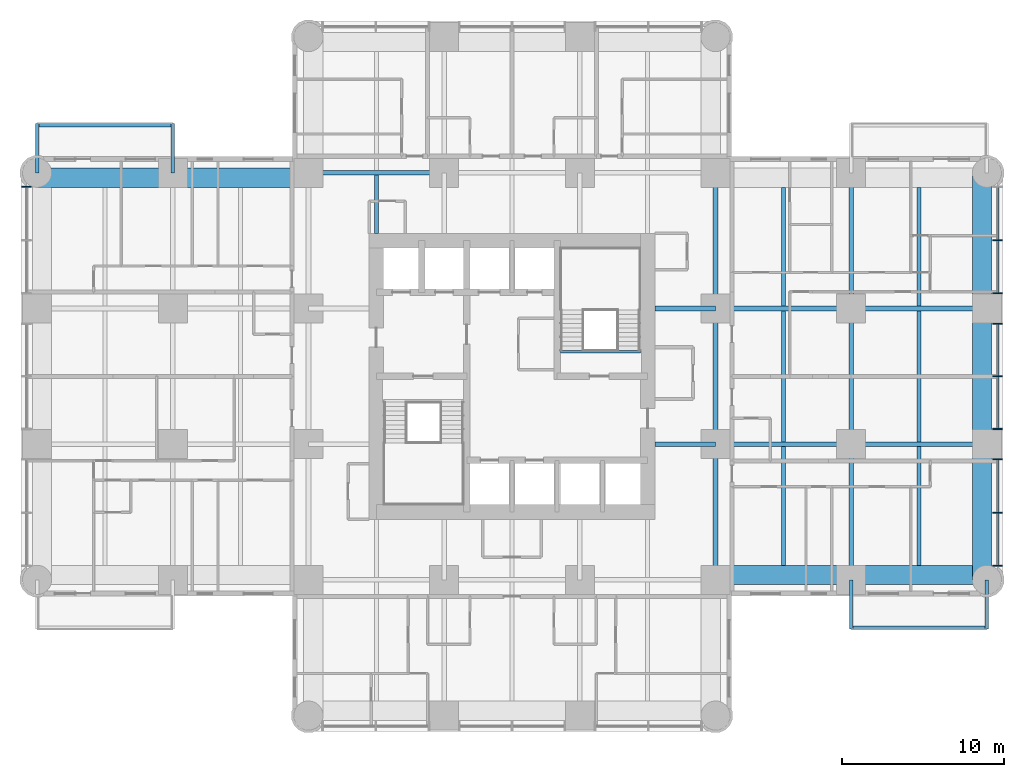
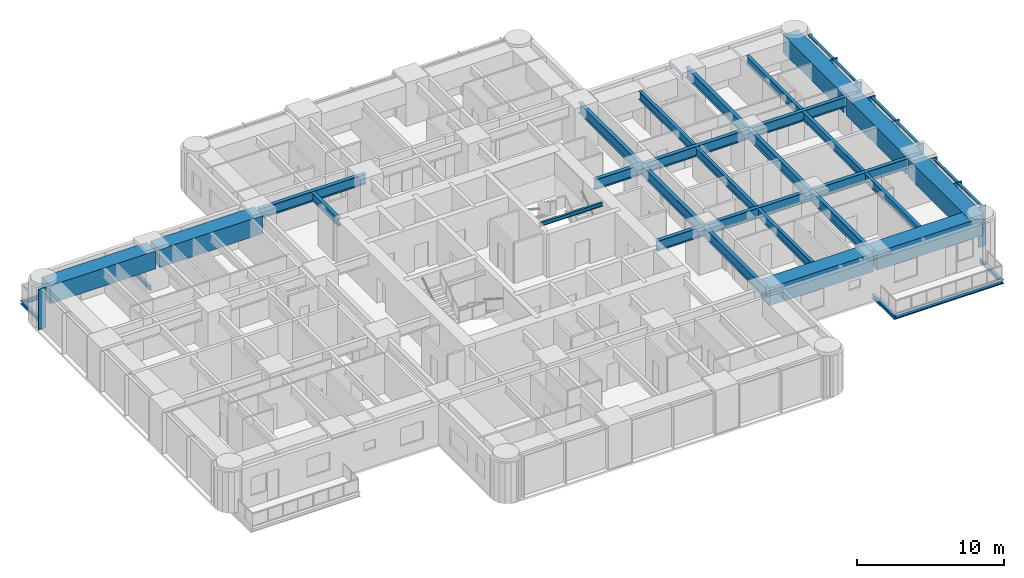
# One storey, part 3 of 14: 34 beams, 15 members, 2 elements without a shape of their own.
"""IFC4 building model written with IfcOpenShell, lengths in metres."""

import ifcopenshell
import ifcopenshell.guid

model = None  # the IFC model being written
_history = None  # IfcOwnerHistory: only IFC2X3 demands one
_inside = {}  # id of a spatial element -> (the spatial element, [elements in it])
_under = {}  # id of a project, library or spatial element -> (it, [spatial elements below it])
_declared = {}  # id of a project -> (the project, [libraries it declares])
_typed = {}  # id of a type object -> (the type object, [elements of that type])
_made_of = {}  # id of a material, layer set ... -> (it, [elements and type objects made of it])


def new_model(schema):
    """Start an empty IFC model of exactly this schema.

    Asked for "IFC4X3", IfcOpenShell would pick the latest addendum, in which some entities
    have other attributes; the version numbers below select the first issue.
    IFC2X3 requires an IfcOwnerHistory on every rooted entity: one is made here for all.
    """
    global model, _history
    if schema == "IFC4X3":
        model = ifcopenshell.file(schema_version=(4, 3, 0, 0))
    else:
        model = ifcopenshell.file(schema=schema)
    _inside.clear()
    _under.clear()
    _declared.clear()
    _typed.clear()
    _made_of.clear()
    _history = None
    if model.schema == "IFC2X3":
        org = make("IfcOrganization", Name="unknown")
        user = make(
            "IfcPersonAndOrganization",
            ThePerson=make("IfcPerson", FamilyName="unknown"),
            TheOrganization=org,
        )
        app = make(
            "IfcApplication",
            ApplicationDeveloper=org,
            Version="unknown",
            ApplicationFullName="unknown",
            ApplicationIdentifier="unknown",
        )
        _history = make(
            "IfcOwnerHistory",
            OwningUser=user,
            OwningApplication=app,
            ChangeAction="ADDED",
            CreationDate=0,
        )
    return model


def make(cls, **values):
    """One entity of the class cls with the attributes given. An attribute that is None is left unset."""
    return model.create_entity(
        cls, **{name: value for name, value in values.items() if value is not None}
    )


def rooted(cls, **values):
    """An entity with a GlobalId (a new one), such as an element, a storey or a relation."""
    return make(cls, GlobalId=ifcopenshell.guid.new(), OwnerHistory=_history, **values)


def si_unit(unit_type, name, prefix=None):
    """IfcSIUnit, for example si_unit("LENGTHUNIT", "METRE", prefix="MILLI")."""
    return make("IfcSIUnit", UnitType=unit_type, Prefix=prefix, Name=name)


def assignment(units):
    """IfcUnitAssignment: the units of a project."""
    return None if units is None else make("IfcUnitAssignment", Units=units)


def point(xyz):
    """IfcCartesianPoint."""
    return None if xyz is None else make("IfcCartesianPoint", Coordinates=xyz)


def direction(xyz):
    """IfcDirection."""
    return None if xyz is None else make("IfcDirection", DirectionRatios=xyz)


def frame(location, z_axis=None, x_axis=None):
    """IfcAxis2Placement3D, a coordinate frame: its origin and axes. An axis left out is left unset."""
    return make(
        "IfcAxis2Placement3D",
        Location=point(location),
        Axis=direction(z_axis),
        RefDirection=direction(x_axis),
    )


def frame_2d(location, x_axis=None):
    """IfcAxis2Placement2D, a coordinate frame in the plane: its origin and x axis."""
    return make(
        "IfcAxis2Placement2D", Location=point(location), RefDirection=direction(x_axis)
    )


def origin():
    """The frame at (0, 0, 0) with its axes left unset."""
    return frame((0.0, 0.0, 0.0))


def origin_2d():
    """The frame at (0, 0) in the plane with its x axis left unset."""
    return frame_2d((0.0, 0.0))


def place(relative_to, where):
    """IfcLocalPlacement: puts the frame where relative to a parent placement (None: the world)."""
    return make(
        "IfcLocalPlacement", PlacementRelTo=relative_to, RelativePlacement=where
    )


def context(
    kind, dimensions, precision=None, world=None, true_north=None, identifier=None
):
    """IfcGeometricRepresentationContext, for example the 3D "Model" context."""
    return make(
        "IfcGeometricRepresentationContext",
        ContextIdentifier=identifier,
        ContextType=kind,
        CoordinateSpaceDimension=dimensions,
        Precision=precision,
        WorldCoordinateSystem=world,
        TrueNorth=true_north,
    )


def subcontext(parent, identifier, kind, view, scale=None):
    """IfcGeometricRepresentationSubContext, for example "Body" below "Model"."""
    return make(
        "IfcGeometricRepresentationSubContext",
        ContextIdentifier=identifier,
        ContextType=kind,
        ParentContext=parent,
        TargetScale=scale,
        TargetView=view,
    )


def project(units=None, contexts=None):
    """IfcProject with its units and contexts."""
    return rooted(
        "IfcProject",
        Name="project",
        RepresentationContexts=contexts,
        UnitsInContext=assignment(units),
    )


def spatial(cls, under=None, at=None, **own):
    """A site, building, storey or space (cls), placed at a placement, below another one or the project."""
    s = rooted(cls, ObjectPlacement=at, **own)
    if under is not None:
        _under.setdefault(under.id(), (under, []))[1].append(s)
    return s


def profile(cls, at=None, kind="AREA", **sizes):
    """A parametric profile (cls). Its sizes go by their IFC names, for example OverallWidth=200.0."""
    return make(cls, ProfileType=kind, Position=at, **sizes)


def rectangle(**sizes):
    """IfcRectangleProfileDef."""
    return profile("IfcRectangleProfileDef", **sizes)


def i_section(**sizes):
    """IfcIShapeProfileDef."""
    return profile("IfcIShapeProfileDef", **sizes)


def extrude(swept, where, along, depth):
    """IfcExtrudedAreaSolid: the profile swept, set in the frame where, extruded along a direction by depth."""
    return make(
        "IfcExtrudedAreaSolid",
        SweptArea=swept,
        Position=where,
        ExtrudedDirection=direction(along),
        Depth=depth,
    )


def shape(context_of_items, identifier, shape_type, items):
    """IfcShapeRepresentation: the items that make up one representation, for example the "Body"."""
    return make(
        "IfcShapeRepresentation",
        ContextOfItems=context_of_items,
        RepresentationIdentifier=identifier,
        RepresentationType=shape_type,
        Items=items,
    )


def material(Name=None, Category=None):
    """IfcMaterial."""
    return make("IfcMaterial", Name=Name, Category=Category)


def material_profile(
    of_material, cross_section, Name=None, Category=None, Priority=None
):
    """IfcMaterialProfile: a cross section and its material."""
    return make(
        "IfcMaterialProfile",
        Name=Name,
        Material=of_material,
        Profile=cross_section,
        Priority=Priority,
        Category=Category,
    )


def profile_set(profiles, Name=None, composite=None):
    """IfcMaterialProfileSet."""
    return make(
        "IfcMaterialProfileSet",
        Name=Name,
        MaterialProfiles=profiles,
        CompositeProfile=composite,
    )


def made_of(thing, what):
    """Note that an element or type object is made of a material, layer set ...; save() writes the relation."""
    if what is not None:
        _made_of.setdefault(what.id(), (what, []))[1].append(thing)
    return thing


def type_object(cls, material=None, **own):
    """A type object (cls), such as IfcWallType, which elements share."""
    return made_of(rooted(cls, **own), material)


def element(
    cls,
    number,
    at=None,
    inside=None,
    cuts=None,
    type_object=None,
    material=None,
    context=None,
    identifier="Body",
    shape_type=None,
    held_by="IfcProductDefinitionShape",
    body=None,
    shapes=None,
    **own,
):
    """One element of the class cls, such as IfcWall. Its Tag is "e" and its number.

    at: its placement. inside: the storey or other place that contains it. cuts: it is an
    opening in that element (IfcRelVoidsElement). A single representation is given by context,
    identifier, shape_type and body (its items); several are given by shapes. held_by: the class
    of the entity that holds the representations. save() writes the other relations.
    """
    e = rooted(cls, Tag="e%d" % number, ObjectPlacement=at, **own)
    if body is not None:
        shapes = [shape(context, identifier, shape_type, body)]
    if shapes is not None:
        e.Representation = make(held_by, Representations=shapes)
    if inside is not None:
        _inside.setdefault(inside.id(), (inside, []))[1].append(e)
    if cuts is not None:
        rooted(
            "IfcRelVoidsElement", RelatingBuildingElement=cuts, RelatedOpeningElement=e
        )
    if type_object is not None:
        _typed.setdefault(type_object.id(), (type_object, []))[1].append(e)
    return made_of(e, material)


def aggregate(whole, parts):
    """IfcRelAggregates: a whole, such as a stair, and the parts it consists of."""
    return rooted("IfcRelAggregates", RelatingObject=whole, RelatedObjects=parts)


def save(model, path):
    """Write the relations noted so far, then the file.

    IfcRelAggregates (storeys below a building ...), IfcRelContainedInSpatialStructure (elements
    in a storey), IfcRelDefinesByType, IfcRelAssociatesMaterial and IfcRelDeclares: one each for
    every whole, place, type object, material and project.
    """
    for whole, parts in _under.values():
        aggregate(whole, parts)
    for where, things in _inside.values():
        rooted(
            "IfcRelContainedInSpatialStructure",
            RelatedElements=things,
            RelatingStructure=where,
        )
    for kind, things in _typed.values():
        rooted("IfcRelDefinesByType", RelatedObjects=things, RelatingType=kind)
    for what, things in _made_of.values():
        rooted("IfcRelAssociatesMaterial", RelatedObjects=things, RelatingMaterial=what)
    for by, libraries in _declared.values():
        rooted("IfcRelDeclares", RelatingContext=by, RelatedDefinitions=libraries)
    model.write(path)


model = new_model("IFC4")

# Units and contexts
model_context = context("Model", 3, precision=1e-05, world=origin(), true_north=direction((0.0, 1.0)))
body_context = subcontext(model_context, "Body", "Model", "MODEL_VIEW")
ifc_project = project(units=[si_unit("LENGTHUNIT", "METRE"), si_unit("AREAUNIT", "SQUARE_METRE"), si_unit("VOLUMEUNIT", "CUBIC_METRE"), si_unit("PLANEANGLEUNIT", "RADIAN"), si_unit("MASSUNIT", "GRAM", prefix="KILO")], contexts=[model_context])

# Site, building, storey
site_placement = place(None, origin())
site = spatial("IfcSite", under=ifc_project, at=site_placement, CompositionType="ELEMENT")
building_placement = place(site_placement, origin())
building = spatial("IfcBuilding", under=site, at=building_placement, Name="Torre Alcanfor", CompositionType="ELEMENT")
storey_placement = place(building_placement, frame((0.0, 0.0, 173.699951171875)))
storey = spatial("IfcBuildingStorey", under=building, at=storey_placement, Name="L45", CompositionType="ELEMENT", Elevation=173.699951171875)

# Beams
ifc_material_1 = material(Name="Steel ASTM A992 Grade 50", Category="steel")
ifc_material_profile_1 = material_profile(ifc_material_1, i_section(OverallWidth=0.205322265625, OverallDepth=0.309814453125, WebThickness=0.00927734375, FlangeThickness=0.016357421875, at=origin_2d()), Name="W12x50")
ifc_profile_set_1 = profile_set([ifc_material_profile_1], Name="Steel ASTM A992 Grade 50")
beam_type_1 = type_object("IfcBeamType", Name="Balcony cantilever beam W12x50", PredefinedType="BEAM", material=ifc_profile_set_1)
for number, where, z_axis, x_axis, name in (
    (1, (50.39990234375, 16.800048828125, -0.35498046875), (0.0, -1.0, 0.0), (1.0, 0.0, 0.0), "Balcony cantilever beam L45-E2 1"),
    (2, (58.800048828125, 16.800048828125, -0.35498046875), (0.0, -1.0, 0.0), (1.0, 0.0, 0.0), "Balcony cantilever beam L45-E2 2"),
    (3, (8.39990234375, 42.0, -0.35498046875), (0.0, 1.0, 0.0), (-1.0, 0.0, 0.0), "Balcony cantilever beam L45-W2 1"),
    (4, (0.0, 42.0, -0.35498046875), (0.0, 1.0, 0.0), (-1.0, 0.0, 0.0), "Balcony cantilever beam L45-W2 2"),
):
    element("IfcBeam", number, at=place(storey_placement, frame(where, z_axis=z_axis, x_axis=x_axis)), inside=storey, type_object=beam_type_1, Name=name, PredefinedType="BEAM", context=body_context, shape_type="SweptSolid", body=[
        extrude(i_section(OverallWidth=0.205322265625, OverallDepth=0.309814453125, WebThickness=0.00927734375, FlangeThickness=0.016357421875, at=origin_2d()), origin(), (0.0, 0.0, 1.0), 3.050048828125),
    ])
ifc_material_2 = material(Name="Steel ASTM A992 Grade 50", Category="steel")
ifc_material_profile_2 = material_profile(ifc_material_2, i_section(OverallWidth=0.203369140625, OverallDepth=0.30224609375, WebThickness=0.007568359375, FlangeThickness=0.01318359375, at=origin_2d()), Name="W12x40")
ifc_profile_set_2 = profile_set([ifc_material_profile_2], Name="Steel ASTM A992 Grade 50")
beam_type_2 = type_object("IfcBeamType", Name="Balcony edge trimmer W12x40", PredefinedType="BEAM", material=ifc_profile_set_2)
beam_1_placement = place(storey_placement, frame((50.39990234375, 13.851806640625, -0.35107421875), z_axis=(1.0, 0.0, 0.0), x_axis=(0.0, 1.0, 0.0)))
element("IfcBeam", 5, at=beam_1_placement, inside=storey, type_object=beam_type_2, Name="Balcony edge trimmer L45-E2", PredefinedType="BEAM", context=body_context, shape_type="SweptSolid", body=[
    extrude(i_section(OverallWidth=0.203369140625, OverallDepth=0.30224609375, WebThickness=0.007568359375, FlangeThickness=0.01318359375, at=origin_2d()), origin(), (0.0, 0.0, 1.0), 8.400146484375),
])
beam_2_placement = place(storey_placement, frame((8.39990234375, 44.9482421875, -0.35107421875), z_axis=(-1.0, 0.0, 0.0), x_axis=(0.0, -1.0, 0.0)))
element("IfcBeam", 6, at=beam_2_placement, inside=storey, type_object=beam_type_2, Name="Balcony edge trimmer L45-W2", PredefinedType="BEAM", context=body_context, shape_type="SweptSolid", body=[
    extrude(i_section(OverallWidth=0.203369140625, OverallDepth=0.30224609375, WebThickness=0.007568359375, FlangeThickness=0.01318359375, at=origin_2d()), origin(), (0.0, 0.0, 1.0), 8.39990234375),
])

# Curtain wall, member
ifc_material_3 = material(Name="Aluminium and glass", Category="aluminium")
curtain_wall_type = type_object("IfcCurtainWallType", Name="CW-A unitised apartment glazing with vertical FIN", PredefinedType="NOTDEFINED", material=ifc_material_3)
curtain_wall_1_placement = place(storey_placement, origin())
curtain_wall_1 = element("IfcCurtainWall", 7, at=curtain_wall_1_placement, inside=storey, type_object=curtain_wall_type, Name="Curtain wall CW-A L45 2", PredefinedType="NOTDEFINED")
ifc_material_4 = material(Name="Bronze anodised aluminium", Category="aluminium")
ifc_material_profile_3 = material_profile(ifc_material_4, rectangle(XDim=0.60009765625, YDim=0.06494140625, at=origin_2d()), Name="CW-A mullion 65x600")
ifc_profile_set_3 = profile_set([ifc_material_profile_3], Name="Bronze anodised aluminium")
member_type_1 = type_object("IfcMemberType", Name="CW-A mullion with vertical FIN 65x600", PredefinedType="MULLION", material=ifc_profile_set_3)
member_1_placement = place(storey_placement, frame((-0.64990234375, 41.133056640625, 0.0), z_axis=(0.0, 0.0, 1.0), x_axis=(1.0, 0.0, 0.0)))
member_1 = element("IfcMember", 8, at=member_1_placement, type_object=member_type_1, Name="CW-A mullion 1.1", PredefinedType="MULLION", context=body_context, shape_type="SweptSolid", body=[
    extrude(rectangle(XDim=0.60009765625, YDim=0.06494140625, at=origin_2d()), origin(), (0.0, 0.0, 1.0), 3.35009765625),
])
aggregate(curtain_wall_1, [member_1])

# Curtain wall, members
curtain_wall_2_placement = place(storey_placement, origin())
curtain_wall_2 = element("IfcCurtainWall", 9, at=curtain_wall_2_placement, inside=storey, type_object=curtain_wall_type, Name="Curtain wall CW-A L45 8", PredefinedType="NOTDEFINED")
member_2_placement = place(storey_placement, frame((59.449951171875, 17.6669921875, 0.0), z_axis=(0.0, 0.0, 1.0), x_axis=(-1.0, 0.0, 0.0)))
member_2 = element("IfcMember", 10, at=member_2_placement, type_object=member_type_1, Name="CW-A mullion 1.1", PredefinedType="MULLION", context=body_context, shape_type="SweptSolid", body=[
    extrude(rectangle(XDim=0.60009765625, YDim=0.06494140625, at=origin_2d()), origin(), (0.0, 0.0, 1.0), 3.35009765625),
])
member_3_placement = place(storey_placement, frame((59.449951171875, 20.96484375, 0.0), z_axis=(0.0, 0.0, 1.0), x_axis=(-1.0, 0.0, 0.0)))
member_3 = element("IfcMember", 11, at=member_3_placement, type_object=member_type_1, Name="CW-A mullion 1.2", PredefinedType="MULLION", context=body_context, shape_type="SweptSolid", body=[
    extrude(rectangle(XDim=0.60009765625, YDim=0.06494140625, at=origin_2d()), origin(), (0.0, 0.0, 1.0), 3.35009765625),
])
member_4_placement = place(storey_placement, frame((59.449951171875, 24.262451171875, 0.0), z_axis=(0.0, 0.0, 1.0), x_axis=(-1.0, 0.0, 0.0)))
member_4 = element("IfcMember", 12, at=member_4_placement, type_object=member_type_1, Name="CW-A mullion 1.3", PredefinedType="MULLION", context=body_context, shape_type="SweptSolid", body=[
    extrude(rectangle(XDim=0.60009765625, YDim=0.06494140625, at=origin_2d()), origin(), (0.0, 0.0, 1.0), 3.35009765625),
])
member_5_placement = place(storey_placement, frame((59.449951171875, 26.137451171875, 0.0), z_axis=(0.0, 0.0, 1.0), x_axis=(-1.0, 0.0, 0.0)))
member_5 = element("IfcMember", 13, at=member_5_placement, type_object=member_type_1, Name="CW-A mullion 2.1", PredefinedType="MULLION", context=body_context, shape_type="SweptSolid", body=[
    extrude(rectangle(XDim=0.60009765625, YDim=0.06494140625, at=origin_2d()), origin(), (0.0, 0.0, 1.0), 3.35009765625),
])
member_6_placement = place(storey_placement, frame((59.449951171875, 29.39990234375, 0.0), z_axis=(0.0, 0.0, 1.0), x_axis=(-1.0, 0.0, 0.0)))
member_6 = element("IfcMember", 14, at=member_6_placement, type_object=member_type_1, Name="CW-A mullion 2.2", PredefinedType="MULLION", context=body_context, shape_type="SweptSolid", body=[
    extrude(rectangle(XDim=0.60009765625, YDim=0.06494140625, at=origin_2d()), origin(), (0.0, 0.0, 1.0), 3.35009765625),
])
member_7_placement = place(storey_placement, frame((59.449951171875, 32.66259765625, 0.0), z_axis=(0.0, 0.0, 1.0), x_axis=(-1.0, 0.0, 0.0)))
member_7 = element("IfcMember", 15, at=member_7_placement, type_object=member_type_1, Name="CW-A mullion 2.3", PredefinedType="MULLION", context=body_context, shape_type="SweptSolid", body=[
    extrude(rectangle(XDim=0.60009765625, YDim=0.06494140625, at=origin_2d()), origin(), (0.0, 0.0, 1.0), 3.35009765625),
])
member_8_placement = place(storey_placement, frame((59.449951171875, 34.53759765625, 0.0), z_axis=(0.0, 0.0, 1.0), x_axis=(-1.0, 0.0, 0.0)))
member_8 = element("IfcMember", 16, at=member_8_placement, type_object=member_type_1, Name="CW-A mullion 3.1", PredefinedType="MULLION", context=body_context, shape_type="SweptSolid", body=[
    extrude(rectangle(XDim=0.60009765625, YDim=0.06494140625, at=origin_2d()), origin(), (0.0, 0.0, 1.0), 3.35009765625),
])
member_9_placement = place(storey_placement, frame((59.449951171875, 37.835205078125, 0.0), z_axis=(0.0, 0.0, 1.0), x_axis=(-1.0, 0.0, 0.0)))
member_9 = element("IfcMember", 17, at=member_9_placement, type_object=member_type_1, Name="CW-A mullion 3.2", PredefinedType="MULLION", context=body_context, shape_type="SweptSolid", body=[
    extrude(rectangle(XDim=0.60009765625, YDim=0.06494140625, at=origin_2d()), origin(), (0.0, 0.0, 1.0), 3.35009765625),
])
ifc_material_5 = material(Name="Extruded aluminium", Category="aluminium")
ifc_material_profile_4 = material_profile(ifc_material_5, rectangle(XDim=0.199951171875, YDim=0.06494140625, at=origin_2d()), Name="CW-A transom 200x65")
ifc_profile_set_4 = profile_set([ifc_material_profile_4], Name="Extruded aluminium")
member_type_2 = type_object("IfcMemberType", Name="CW-A transom 65x200", PredefinedType="USERDEFINED", material=ifc_profile_set_4)
member_10_placement = place(storey_placement, frame((59.449951171875, 17.699462890625, 3.317626953125), z_axis=(0.0, 1.0, 0.0), x_axis=(-1.0, 0.0, 0.0)))
member_10 = element("IfcMember", 18, at=member_10_placement, type_object=member_type_2, Name="CW-A transom 1.1.2", ObjectType="TRANSOM", PredefinedType="USERDEFINED", context=body_context, shape_type="SweptSolid", body=[
    extrude(rectangle(XDim=0.199951171875, YDim=0.06494140625, at=origin_2d()), origin(), (0.0, 0.0, 1.0), 3.232666015625),
])
member_11_placement = place(storey_placement, frame((59.449951171875, 20.997314453125, 3.317626953125), z_axis=(0.0, 1.0, 0.0), x_axis=(-1.0, 0.0, 0.0)))
member_11 = element("IfcMember", 19, at=member_11_placement, type_object=member_type_2, Name="CW-A transom 1.2.2", ObjectType="TRANSOM", PredefinedType="USERDEFINED", context=body_context, shape_type="SweptSolid", body=[
    extrude(rectangle(XDim=0.199951171875, YDim=0.06494140625, at=origin_2d()), origin(), (0.0, 0.0, 1.0), 3.232666015625),
])
member_12_placement = place(storey_placement, frame((59.449951171875, 26.169921875, 3.317626953125), z_axis=(0.0, 1.0, 0.0), x_axis=(-1.0, 0.0, 0.0)))
member_12 = element("IfcMember", 20, at=member_12_placement, type_object=member_type_2, Name="CW-A transom 2.1.2", ObjectType="TRANSOM", PredefinedType="USERDEFINED", context=body_context, shape_type="SweptSolid", body=[
    extrude(rectangle(XDim=0.199951171875, YDim=0.06494140625, at=origin_2d()), origin(), (0.0, 0.0, 1.0), 3.197509765625),
])
member_13_placement = place(storey_placement, frame((59.449951171875, 29.4326171875, 3.317626953125), z_axis=(0.0, 1.0, 0.0), x_axis=(-1.0, 0.0, 0.0)))
member_13 = element("IfcMember", 21, at=member_13_placement, type_object=member_type_2, Name="CW-A transom 2.2.2", ObjectType="TRANSOM", PredefinedType="USERDEFINED", context=body_context, shape_type="SweptSolid", body=[
    extrude(rectangle(XDim=0.199951171875, YDim=0.06494140625, at=origin_2d()), origin(), (0.0, 0.0, 1.0), 3.197265625),
])
member_14_placement = place(storey_placement, frame((59.449951171875, 34.570068359375, 3.317626953125), z_axis=(0.0, 1.0, 0.0), x_axis=(-1.0, 0.0, 0.0)))
member_14 = element("IfcMember", 22, at=member_14_placement, type_object=member_type_2, Name="CW-A transom 3.1.2", ObjectType="TRANSOM", PredefinedType="USERDEFINED", context=body_context, shape_type="SweptSolid", body=[
    extrude(rectangle(XDim=0.199951171875, YDim=0.06494140625, at=origin_2d()), origin(), (0.0, 0.0, 1.0), 3.232666015625),
])
member_15_placement = place(storey_placement, frame((59.449951171875, 37.86767578125, 3.317626953125), z_axis=(0.0, 1.0, 0.0), x_axis=(-1.0, 0.0, 0.0)))
member_15 = element("IfcMember", 23, at=member_15_placement, type_object=member_type_2, Name="CW-A transom 3.2.2", ObjectType="TRANSOM", PredefinedType="USERDEFINED", context=body_context, shape_type="SweptSolid", body=[
    extrude(rectangle(XDim=0.199951171875, YDim=0.06494140625, at=origin_2d()), origin(), (0.0, 0.0, 1.0), 3.23291015625),
])
aggregate(curtain_wall_2, [member_2, member_3, member_4, member_10, member_11, member_5, member_6, member_7, member_12, member_13, member_8, member_9, member_14, member_15])

# Beams
ifc_material_6 = material(Name="Steel ASTM A992 Grade 50", Category="steel")
ifc_material_profile_5 = material_profile(ifc_material_6, i_section(OverallWidth=0.2919921875, OverallDepth=0.8408203125, WebThickness=0.0146484375, FlangeThickness=0.021728515625, at=origin_2d()), Name="W33x130")
ifc_profile_set_5 = profile_set([ifc_material_profile_5], Name="Steel ASTM A992 Grade 50")
beam_type_3 = type_object("IfcBeamType", Name="Girder W33x130", PredefinedType="BEAM", material=ifc_profile_set_5)
beam_3_placement = place(storey_placement, frame((42.0, 25.199951171875, 2.9296875), z_axis=(1.0, 0.0, 0.0), x_axis=(0.0, 1.0, 0.0)))
element("IfcBeam", 24, at=beam_3_placement, inside=storey, type_object=beam_type_3, Name="Beam 6F-7F under L46", PredefinedType="BEAM", context=body_context, shape_type="SweptSolid", body=[
    extrude(i_section(OverallWidth=0.2919921875, OverallDepth=0.8408203125, WebThickness=0.0146484375, FlangeThickness=0.021728515625, at=origin_2d()), origin(), (0.0, 0.0, 1.0), 8.39990234375),
])
beam_4_placement = place(storey_placement, frame((50.39990234375, 25.199951171875, 2.9296875), z_axis=(1.0, 0.0, 0.0), x_axis=(0.0, 1.0, 0.0)))
element("IfcBeam", 25, at=beam_4_placement, inside=storey, type_object=beam_type_3, Name="Beam 7F-8F under L46", PredefinedType="BEAM", context=body_context, shape_type="SweptSolid", body=[
    extrude(i_section(OverallWidth=0.2919921875, OverallDepth=0.8408203125, WebThickness=0.0146484375, FlangeThickness=0.021728515625, at=origin_2d()), origin(), (0.0, 0.0, 1.0), 8.400146484375),
])
beam_5_placement = place(storey_placement, frame((42.0, 33.60009765625, 2.9296875), z_axis=(1.0, 0.0, 0.0), x_axis=(0.0, 1.0, 0.0)))
element("IfcBeam", 26, at=beam_5_placement, inside=storey, type_object=beam_type_3, Name="Beam 6G-7G under L46", PredefinedType="BEAM", context=body_context, shape_type="SweptSolid", body=[
    extrude(i_section(OverallWidth=0.2919921875, OverallDepth=0.8408203125, WebThickness=0.0146484375, FlangeThickness=0.021728515625, at=origin_2d()), origin(), (0.0, 0.0, 1.0), 8.39990234375),
])
beam_6_placement = place(storey_placement, frame((50.39990234375, 33.60009765625, 2.9296875), z_axis=(1.0, 0.0, 0.0), x_axis=(0.0, 1.0, 0.0)))
element("IfcBeam", 27, at=beam_6_placement, inside=storey, type_object=beam_type_3, Name="Beam 7G-8G under L46", PredefinedType="BEAM", context=body_context, shape_type="SweptSolid", body=[
    extrude(i_section(OverallWidth=0.2919921875, OverallDepth=0.8408203125, WebThickness=0.0146484375, FlangeThickness=0.021728515625, at=origin_2d()), origin(), (0.0, 0.0, 1.0), 8.400146484375),
])
for number, where, z_axis, x_axis, name in (
    (28, (16.800048828125, 42.0, 2.9296875), (1.0, 0.0, 0.0), (0.0, 1.0, 0.0), "Beam 3H-4H under L46"),
    (29, (42.0, 16.800048828125, 2.9296875), (0.0, 1.0, 0.0), (-1.0, 0.0, 0.0), "Beam 6E-6F under L46"),
):
    element("IfcBeam", number, at=place(storey_placement, frame(where, z_axis=z_axis, x_axis=x_axis)), inside=storey, type_object=beam_type_3, Name=name, PredefinedType="BEAM", context=body_context, shape_type="SweptSolid", body=[
        extrude(i_section(OverallWidth=0.2919921875, OverallDepth=0.8408203125, WebThickness=0.0146484375, FlangeThickness=0.021728515625, at=origin_2d()), origin(), (0.0, 0.0, 1.0), 8.39990234375),
    ])
beam_7_placement = place(storey_placement, frame((42.0, 25.199951171875, 2.9296875), z_axis=(0.0, 1.0, 0.0), x_axis=(-1.0, 0.0, 0.0)))
element("IfcBeam", 30, at=beam_7_placement, inside=storey, type_object=beam_type_3, Name="Beam 6F-6G under L46", PredefinedType="BEAM", context=body_context, shape_type="SweptSolid", body=[
    extrude(i_section(OverallWidth=0.2919921875, OverallDepth=0.8408203125, WebThickness=0.0146484375, FlangeThickness=0.021728515625, at=origin_2d()), origin(), (0.0, 0.0, 1.0), 8.400146484375),
])
for number, where, z_axis, x_axis, name in (
    (31, (42.0, 33.60009765625, 2.9296875), (0.0, 1.0, 0.0), (-1.0, 0.0, 0.0), "Beam 6G-6H under L46"),
    (32, (50.39990234375, 16.800048828125, 2.9296875), (0.0, 1.0, 0.0), (-1.0, 0.0, 0.0), "Beam 7E-7F under L46"),
):
    element("IfcBeam", number, at=place(storey_placement, frame(where, z_axis=z_axis, x_axis=x_axis)), inside=storey, type_object=beam_type_3, Name=name, PredefinedType="BEAM", context=body_context, shape_type="SweptSolid", body=[
        extrude(i_section(OverallWidth=0.2919921875, OverallDepth=0.8408203125, WebThickness=0.0146484375, FlangeThickness=0.021728515625, at=origin_2d()), origin(), (0.0, 0.0, 1.0), 8.39990234375),
    ])
beam_8_placement = place(storey_placement, frame((50.39990234375, 25.199951171875, 2.9296875), z_axis=(0.0, 1.0, 0.0), x_axis=(-1.0, 0.0, 0.0)))
element("IfcBeam", 33, at=beam_8_placement, inside=storey, type_object=beam_type_3, Name="Beam 7F-7G under L46", PredefinedType="BEAM", context=body_context, shape_type="SweptSolid", body=[
    extrude(i_section(OverallWidth=0.2919921875, OverallDepth=0.8408203125, WebThickness=0.0146484375, FlangeThickness=0.021728515625, at=origin_2d()), origin(), (0.0, 0.0, 1.0), 8.400146484375),
])
beam_9_placement = place(storey_placement, frame((50.39990234375, 33.60009765625, 2.9296875), z_axis=(0.0, 1.0, 0.0), x_axis=(-1.0, 0.0, 0.0)))
element("IfcBeam", 34, at=beam_9_placement, inside=storey, type_object=beam_type_3, Name="Beam 7G-7H under L46", PredefinedType="BEAM", context=body_context, shape_type="SweptSolid", body=[
    extrude(i_section(OverallWidth=0.2919921875, OverallDepth=0.8408203125, WebThickness=0.0146484375, FlangeThickness=0.021728515625, at=origin_2d()), origin(), (0.0, 0.0, 1.0), 8.39990234375),
])
ifc_material_7 = material(Name="Steel ASTM A992 Grade 50", Category="steel")
ifc_material_profile_6 = material_profile(ifc_material_7, i_section(OverallWidth=0.2919921875, OverallDepth=0.8408203125, WebThickness=0.0146484375, FlangeThickness=0.021728515625, at=origin_2d()), Name="W33x130")
ifc_profile_set_6 = profile_set([ifc_material_profile_6], Name="Steel ASTM A992 Grade 50")
beam_type_4 = type_object("IfcBeamType", Name="Girder, part bay W33x130", PredefinedType="BEAM", material=ifc_profile_set_6)
for number, where, z_axis, x_axis, name in (
    (35, (42.0, 25.199951171875, 2.9296875), (-1.0, 0.0, 0.0), (0.0, -1.0, 0.0), "Beam 6F-38_25F under L46"),
    (36, (42.0, 33.60009765625, 2.9296875), (-1.0, 0.0, 0.0), (0.0, -1.0, 0.0), "Beam 6G-38_25G under L46"),
):
    element("IfcBeam", number, at=place(storey_placement, frame(where, z_axis=z_axis, x_axis=x_axis)), inside=storey, type_object=beam_type_4, Name=name, PredefinedType="BEAM", context=body_context, shape_type="SweptSolid", body=[
        extrude(i_section(OverallWidth=0.2919921875, OverallDepth=0.8408203125, WebThickness=0.0146484375, FlangeThickness=0.021728515625, at=origin_2d()), origin(), (0.0, 0.0, 1.0), 3.75),
    ])
ifc_material_8 = material(Name="Concrete f'c 70 MPa", Category="concrete")
ifc_material_profile_7 = material_profile(ifc_material_8, rectangle(XDim=1.199951171875, YDim=1.5, at=origin_2d()), Name="1200x1500")
ifc_profile_set_7 = profile_set([ifc_material_profile_7], Name="Concrete f'c 70 MPa")
beam_type_5 = type_object("IfcBeamType", Name="RC perimeter beam 1200x1500", PredefinedType="BEAM", material=ifc_profile_set_7)
beam_10_placement = place(storey_placement, frame((42.14599609375, 17.10009765625, 2.60009765625), z_axis=(1.0, 0.0, 0.0), x_axis=(0.0, 1.0, 0.0)))
element("IfcBeam", 37, at=beam_10_placement, inside=storey, type_object=beam_type_5, Name="Beam 6E-7E under L46", PredefinedType="BEAM", context=body_context, shape_type="SweptSolid", body=[
    extrude(rectangle(XDim=1.199951171875, YDim=1.5, at=origin_2d()), origin(), (0.0, 0.0, 1.0), 8.10791015625),
])
beam_11_placement = place(storey_placement, frame((50.5458984375, 17.10009765625, 2.60009765625), z_axis=(1.0, 0.0, 0.0), x_axis=(0.0, 1.0, 0.0)))
element("IfcBeam", 38, at=beam_11_placement, inside=storey, type_object=beam_type_5, Name="Beam 7E-8E under L46", PredefinedType="BEAM", context=body_context, shape_type="SweptSolid", body=[
    extrude(rectangle(XDim=1.199951171875, YDim=1.5, at=origin_2d()), origin(), (0.0, 0.0, 1.0), 8.254150390625),
])
beam_12_placement = place(storey_placement, frame((0.0, 41.699951171875, 2.60009765625), z_axis=(1.0, 0.0, 0.0), x_axis=(0.0, 1.0, 0.0)))
element("IfcBeam", 39, at=beam_12_placement, inside=storey, type_object=beam_type_5, Name="Beam 1H-2H under L46", PredefinedType="BEAM", context=body_context, shape_type="SweptSolid", body=[
    extrude(rectangle(XDim=1.199951171875, YDim=1.5, at=origin_2d()), origin(), (0.0, 0.0, 1.0), 8.25390625),
])
beam_13_placement = place(storey_placement, frame((8.5458984375, 41.699951171875, 2.60009765625), z_axis=(1.0, 0.0, 0.0), x_axis=(0.0, 1.0, 0.0)))
element("IfcBeam", 40, at=beam_13_placement, inside=storey, type_object=beam_type_5, Name="Beam 2H-3H under L46", PredefinedType="BEAM", context=body_context, shape_type="SweptSolid", body=[
    extrude(rectangle(XDim=1.199951171875, YDim=1.5, at=origin_2d()), origin(), (0.0, 0.0, 1.0), 8.108154296875),
])
beam_14_placement = place(storey_placement, frame((58.5, 16.800048828125, 2.60009765625), z_axis=(0.0, 1.0, 0.0), x_axis=(-1.0, 0.0, 0.0)))
element("IfcBeam", 41, at=beam_14_placement, inside=storey, type_object=beam_type_5, Name="Beam 8E-8F under L46", PredefinedType="BEAM", context=body_context, shape_type="SweptSolid", body=[
    extrude(rectangle(XDim=1.199951171875, YDim=1.5, at=origin_2d()), origin(), (0.0, 0.0, 1.0), 8.25390625),
])
beam_15_placement = place(storey_placement, frame((58.5, 25.345947265625, 2.60009765625), z_axis=(0.0, 1.0, 0.0), x_axis=(-1.0, 0.0, 0.0)))
element("IfcBeam", 42, at=beam_15_placement, inside=storey, type_object=beam_type_5, Name="Beam 8F-8G under L46", PredefinedType="BEAM", context=body_context, shape_type="SweptSolid", body=[
    extrude(rectangle(XDim=1.199951171875, YDim=1.5, at=origin_2d()), origin(), (0.0, 0.0, 1.0), 8.108154296875),
])
beam_16_placement = place(storey_placement, frame((58.5, 33.74609375, 2.60009765625), z_axis=(0.0, 1.0, 0.0), x_axis=(-1.0, 0.0, 0.0)))
element("IfcBeam", 43, at=beam_16_placement, inside=storey, type_object=beam_type_5, Name="Beam 8G-8H under L46", PredefinedType="BEAM", context=body_context, shape_type="SweptSolid", body=[
    extrude(rectangle(XDim=1.199951171875, YDim=1.5, at=origin_2d()), origin(), (0.0, 0.0, 1.0), 8.25390625),
])
ifc_material_9 = material(Name="Steel ASTM A992 Grade 50", Category="steel")
ifc_material_profile_8 = material_profile(ifc_material_9, i_section(OverallWidth=0.25390625, OverallDepth=0.683349609375, WebThickness=0.012451171875, FlangeThickness=0.01904296875, at=origin_2d()), Name="W27x94")
ifc_profile_set_8 = profile_set([ifc_material_profile_8], Name="Steel ASTM A992 Grade 50")
beam_type_6 = type_object("IfcBeamType", Name="Secondary beam W27x94", PredefinedType="BEAM", material=ifc_profile_set_8)
beam_17_placement = place(storey_placement, frame((46.199951171875, 17.699951171875, 3.00830078125), z_axis=(0.0, 1.0, 0.0), x_axis=(-1.0, 0.0, 0.0)))
element("IfcBeam", 44, at=beam_17_placement, inside=storey, type_object=beam_type_6, Name="Beam 46_2E-46_2F under L46", PredefinedType="BEAM", context=body_context, shape_type="SweptSolid", body=[
    extrude(i_section(OverallWidth=0.25390625, OverallDepth=0.683349609375, WebThickness=0.012451171875, FlangeThickness=0.01904296875, at=origin_2d()), origin(), (0.0, 0.0, 1.0), 7.35400390625),
])
beam_18_placement = place(storey_placement, frame((46.199951171875, 25.345947265625, 3.00830078125), z_axis=(0.0, 1.0, 0.0), x_axis=(-1.0, 0.0, 0.0)))
element("IfcBeam", 45, at=beam_18_placement, inside=storey, type_object=beam_type_6, Name="Beam 46_2F-46_2G under L46", PredefinedType="BEAM", context=body_context, shape_type="SweptSolid", body=[
    extrude(i_section(OverallWidth=0.25390625, OverallDepth=0.683349609375, WebThickness=0.012451171875, FlangeThickness=0.01904296875, at=origin_2d()), origin(), (0.0, 0.0, 1.0), 8.108154296875),
])
for number, where, z_axis, x_axis, name in (
    (46, (46.199951171875, 33.74609375, 3.00830078125), (0.0, 1.0, 0.0), (-1.0, 0.0, 0.0), "Beam 46_2G-46_2H under L46"),
    (47, (54.60009765625, 17.699951171875, 3.00830078125), (0.0, 1.0, 0.0), (-1.0, 0.0, 0.0), "Beam 54_6E-54_6F under L46"),
):
    element("IfcBeam", number, at=place(storey_placement, frame(where, z_axis=z_axis, x_axis=x_axis)), inside=storey, type_object=beam_type_6, Name=name, PredefinedType="BEAM", context=body_context, shape_type="SweptSolid", body=[
        extrude(i_section(OverallWidth=0.25390625, OverallDepth=0.683349609375, WebThickness=0.012451171875, FlangeThickness=0.01904296875, at=origin_2d()), origin(), (0.0, 0.0, 1.0), 7.35400390625),
    ])
beam_19_placement = place(storey_placement, frame((54.60009765625, 25.345947265625, 3.00830078125), z_axis=(0.0, 1.0, 0.0), x_axis=(-1.0, 0.0, 0.0)))
element("IfcBeam", 48, at=beam_19_placement, inside=storey, type_object=beam_type_6, Name="Beam 54_6F-54_6G under L46", PredefinedType="BEAM", context=body_context, shape_type="SweptSolid", body=[
    extrude(i_section(OverallWidth=0.25390625, OverallDepth=0.683349609375, WebThickness=0.012451171875, FlangeThickness=0.01904296875, at=origin_2d()), origin(), (0.0, 0.0, 1.0), 8.108154296875),
])
beam_20_placement = place(storey_placement, frame((54.60009765625, 33.74609375, 3.00830078125), z_axis=(0.0, 1.0, 0.0), x_axis=(-1.0, 0.0, 0.0)))
element("IfcBeam", 49, at=beam_20_placement, inside=storey, type_object=beam_type_6, Name="Beam 54_6G-54_6H under L46", PredefinedType="BEAM", context=body_context, shape_type="SweptSolid", body=[
    extrude(i_section(OverallWidth=0.25390625, OverallDepth=0.683349609375, WebThickness=0.012451171875, FlangeThickness=0.01904296875, at=origin_2d()), origin(), (0.0, 0.0, 1.0), 7.35400390625),
])
ifc_material_10 = material(Name="Steel ASTM A992 Grade 50", Category="steel")
ifc_material_profile_9 = material_profile(ifc_material_10, i_section(OverallWidth=0.25390625, OverallDepth=0.683349609375, WebThickness=0.012451171875, FlangeThickness=0.01904296875, at=origin_2d()), Name="W27x94")
ifc_profile_set_9 = profile_set([ifc_material_profile_9], Name="Steel ASTM A992 Grade 50")
beam_type_7 = type_object("IfcBeamType", Name="Secondary beam, part bay W27x94", PredefinedType="BEAM", material=ifc_profile_set_9)
beam_21_placement = place(storey_placement, frame((21.0, 38.25, 3.00830078125), z_axis=(0.0, 1.0, 0.0), x_axis=(-1.0, 0.0, 0.0)))
element("IfcBeam", 50, at=beam_21_placement, inside=storey, type_object=beam_type_7, Name="Beam 2138_25-21H under L46", PredefinedType="BEAM", context=body_context, shape_type="SweptSolid", body=[
    extrude(i_section(OverallWidth=0.25390625, OverallDepth=0.683349609375, WebThickness=0.012451171875, FlangeThickness=0.01904296875, at=origin_2d()), origin(), (0.0, 0.0, 1.0), 3.60400390625),
])
ifc_material_11 = material(Name="Steel ASTM A992 Grade 50", Category="steel")
ifc_material_profile_10 = material_profile(ifc_material_11, i_section(OverallWidth=0.164794921875, OverallDepth=0.309814453125, WebThickness=0.005859375, FlangeThickness=0.009765625, at=origin_2d()), Name="W12x26")
ifc_profile_set_10 = profile_set([ifc_material_profile_10], Name="Steel ASTM A992 Grade 50")
beam_type_8 = type_object("IfcBeamType", Name="Stair landing beam W12x26", PredefinedType="BEAM", material=ifc_profile_set_10)
beam_22_placement = place(storey_placement, frame((32.39990234375, 30.91259765625, 3.2451171875), z_axis=(1.0, 0.0, 0.0), x_axis=(0.0, 1.0, 0.0)))
element("IfcBeam", 51, at=beam_22_placement, inside=storey, type_object=beam_type_8, Name="Landing trimmer S2 L46", PredefinedType="BEAM", context=body_context, shape_type="SweptSolid", body=[
    extrude(i_section(OverallWidth=0.164794921875, OverallDepth=0.309814453125, WebThickness=0.005859375, FlangeThickness=0.009765625, at=origin_2d()), origin(), (0.0, 0.0, 1.0), 4.9501953125),
])

save(model, "model.ifc")
